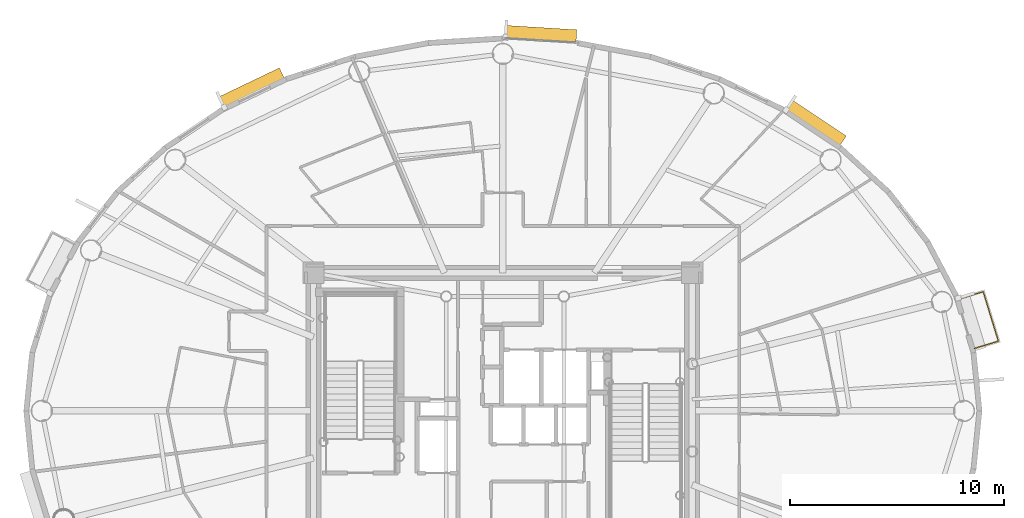
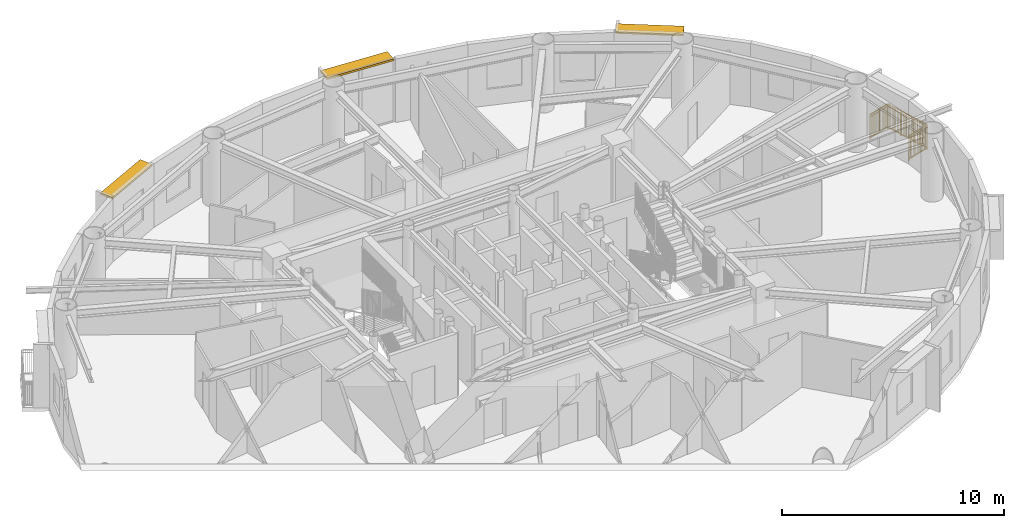
# One storey, part 18 of 18: 3 shading devices, 1 railing.
"""IFC4 building model written with IfcOpenShell, lengths in metres."""

import ifcopenshell
import ifcopenshell.guid

model = None  # the IFC model being written
_history = None  # IfcOwnerHistory: only IFC2X3 demands one
_inside = {}  # id of a spatial element -> (the spatial element, [elements in it])
_under = {}  # id of a project, library or spatial element -> (it, [spatial elements below it])
_declared = {}  # id of a project -> (the project, [libraries it declares])
_typed = {}  # id of a type object -> (the type object, [elements of that type])
_made_of = {}  # id of a material, layer set ... -> (it, [elements and type objects made of it])


def new_model(schema):
    """Start an empty IFC model of exactly this schema.

    Asked for "IFC4X3", IfcOpenShell would pick the latest addendum, in which some entities
    have other attributes; the version numbers below select the first issue.
    IFC2X3 requires an IfcOwnerHistory on every rooted entity: one is made here for all.
    """
    global model, _history
    if schema == "IFC4X3":
        model = ifcopenshell.file(schema_version=(4, 3, 0, 0))
    else:
        model = ifcopenshell.file(schema=schema)
    _inside.clear()
    _under.clear()
    _declared.clear()
    _typed.clear()
    _made_of.clear()
    _history = None
    if model.schema == "IFC2X3":
        org = make("IfcOrganization", Name="unknown")
        user = make(
            "IfcPersonAndOrganization",
            ThePerson=make("IfcPerson", FamilyName="unknown"),
            TheOrganization=org,
        )
        app = make(
            "IfcApplication",
            ApplicationDeveloper=org,
            Version="unknown",
            ApplicationFullName="unknown",
            ApplicationIdentifier="unknown",
        )
        _history = make(
            "IfcOwnerHistory",
            OwningUser=user,
            OwningApplication=app,
            ChangeAction="ADDED",
            CreationDate=0,
        )
    return model


def make(cls, **values):
    """One entity of the class cls with the attributes given. An attribute that is None is left unset."""
    return model.create_entity(
        cls, **{name: value for name, value in values.items() if value is not None}
    )


def rooted(cls, **values):
    """An entity with a GlobalId (a new one), such as an element, a storey or a relation."""
    return make(cls, GlobalId=ifcopenshell.guid.new(), OwnerHistory=_history, **values)


def si_unit(unit_type, name, prefix=None):
    """IfcSIUnit, for example si_unit("LENGTHUNIT", "METRE", prefix="MILLI")."""
    return make("IfcSIUnit", UnitType=unit_type, Prefix=prefix, Name=name)


def assignment(units):
    """IfcUnitAssignment: the units of a project."""
    return None if units is None else make("IfcUnitAssignment", Units=units)


def point(xyz):
    """IfcCartesianPoint."""
    return None if xyz is None else make("IfcCartesianPoint", Coordinates=xyz)


def direction(xyz):
    """IfcDirection."""
    return None if xyz is None else make("IfcDirection", DirectionRatios=xyz)


def frame(location, z_axis=None, x_axis=None):
    """IfcAxis2Placement3D, a coordinate frame: its origin and axes. An axis left out is left unset."""
    return make(
        "IfcAxis2Placement3D",
        Location=point(location),
        Axis=direction(z_axis),
        RefDirection=direction(x_axis),
    )


def frame_2d(location, x_axis=None):
    """IfcAxis2Placement2D, a coordinate frame in the plane: its origin and x axis."""
    return make(
        "IfcAxis2Placement2D", Location=point(location), RefDirection=direction(x_axis)
    )


def origin():
    """The frame at (0, 0, 0) with its axes left unset."""
    return frame((0.0, 0.0, 0.0))


def origin_2d():
    """The frame at (0, 0) in the plane with its x axis left unset."""
    return frame_2d((0.0, 0.0))


def place(relative_to, where):
    """IfcLocalPlacement: puts the frame where relative to a parent placement (None: the world)."""
    return make(
        "IfcLocalPlacement", PlacementRelTo=relative_to, RelativePlacement=where
    )


def context(
    kind, dimensions, precision=None, world=None, true_north=None, identifier=None
):
    """IfcGeometricRepresentationContext, for example the 3D "Model" context."""
    return make(
        "IfcGeometricRepresentationContext",
        ContextIdentifier=identifier,
        ContextType=kind,
        CoordinateSpaceDimension=dimensions,
        Precision=precision,
        WorldCoordinateSystem=world,
        TrueNorth=true_north,
    )


def subcontext(parent, identifier, kind, view, scale=None):
    """IfcGeometricRepresentationSubContext, for example "Body" below "Model"."""
    return make(
        "IfcGeometricRepresentationSubContext",
        ContextIdentifier=identifier,
        ContextType=kind,
        ParentContext=parent,
        TargetScale=scale,
        TargetView=view,
    )


def project(units=None, contexts=None):
    """IfcProject with its units and contexts."""
    return rooted(
        "IfcProject",
        Name="project",
        RepresentationContexts=contexts,
        UnitsInContext=assignment(units),
    )


def spatial(cls, under=None, at=None, **own):
    """A site, building, storey or space (cls), placed at a placement, below another one or the project."""
    s = rooted(cls, ObjectPlacement=at, **own)
    if under is not None:
        _under.setdefault(under.id(), (under, []))[1].append(s)
    return s


def profile(cls, at=None, kind="AREA", **sizes):
    """A parametric profile (cls). Its sizes go by their IFC names, for example OverallWidth=200.0."""
    return make(cls, ProfileType=kind, Position=at, **sizes)


def rectangle(**sizes):
    """IfcRectangleProfileDef."""
    return profile("IfcRectangleProfileDef", **sizes)


def extrude(swept, where, along, depth):
    """IfcExtrudedAreaSolid: the profile swept, set in the frame where, extruded along a direction by depth."""
    return make(
        "IfcExtrudedAreaSolid",
        SweptArea=swept,
        Position=where,
        ExtrudedDirection=direction(along),
        Depth=depth,
    )


def shape(context_of_items, identifier, shape_type, items):
    """IfcShapeRepresentation: the items that make up one representation, for example the "Body"."""
    return make(
        "IfcShapeRepresentation",
        ContextOfItems=context_of_items,
        RepresentationIdentifier=identifier,
        RepresentationType=shape_type,
        Items=items,
    )


def source(mapping_origin, context_of_items, identifier, shape_type, items):
    """IfcRepresentationMap: a shape defined once, which mapped items show again and again."""
    return make(
        "IfcRepresentationMap",
        MappingOrigin=mapping_origin,
        MappedRepresentation=shape(context_of_items, identifier, shape_type, items),
    )


def transform(
    local_origin,
    x_axis=None,
    y_axis=None,
    z_axis=None,
    scale=None,
    scale2=None,
    scale3=None,
    uniform=True,
):
    """IfcCartesianTransformationOperator3D, or its non-uniform kind. x_axis, y_axis, z_axis: its Axis1, 2, 3."""
    if uniform:
        return make(
            "IfcCartesianTransformationOperator3D",
            Axis1=direction(x_axis),
            Axis2=direction(y_axis),
            LocalOrigin=point(local_origin),
            Scale=scale,
            Axis3=direction(z_axis),
        )
    return make(
        "IfcCartesianTransformationOperator3DnonUniform",
        Axis1=direction(x_axis),
        Axis2=direction(y_axis),
        LocalOrigin=point(local_origin),
        Scale=scale,
        Axis3=direction(z_axis),
        Scale2=scale2,
        Scale3=scale3,
    )


def mapped(mapping_source, mapping_target):
    """IfcMappedItem: shows the shape of a source again, moved by a transform."""
    return make(
        "IfcMappedItem", MappingSource=mapping_source, MappingTarget=mapping_target
    )


def material(Name=None, Category=None):
    """IfcMaterial."""
    return make("IfcMaterial", Name=Name, Category=Category)


def layer(
    of_material, thickness, ventilated=None, Name=None, Category=None, Priority=None
):
    """IfcMaterialLayer: one layer of a wall or slab, of a material (None: an air gap)."""
    return make(
        "IfcMaterialLayer",
        Material=of_material,
        LayerThickness=thickness,
        IsVentilated=ventilated,
        Name=Name,
        Category=Category,
        Priority=Priority,
    )


def layer_set(layers, Name=None):
    """IfcMaterialLayerSet."""
    return make("IfcMaterialLayerSet", MaterialLayers=layers, LayerSetName=Name)


def made_of(thing, what):
    """Note that an element or type object is made of a material, layer set ...; save() writes the relation."""
    if what is not None:
        _made_of.setdefault(what.id(), (what, []))[1].append(thing)
    return thing


def type_object(cls, material=None, **own):
    """A type object (cls), such as IfcWallType, which elements share."""
    return made_of(rooted(cls, **own), material)


def element(
    cls,
    number,
    at=None,
    inside=None,
    cuts=None,
    type_object=None,
    material=None,
    context=None,
    identifier="Body",
    shape_type=None,
    held_by="IfcProductDefinitionShape",
    body=None,
    shapes=None,
    **own,
):
    """One element of the class cls, such as IfcWall. Its Tag is "e" and its number.

    at: its placement. inside: the storey or other place that contains it. cuts: it is an
    opening in that element (IfcRelVoidsElement). A single representation is given by context,
    identifier, shape_type and body (its items); several are given by shapes. held_by: the class
    of the entity that holds the representations. save() writes the other relations.
    """
    e = rooted(cls, Tag="e%d" % number, ObjectPlacement=at, **own)
    if body is not None:
        shapes = [shape(context, identifier, shape_type, body)]
    if shapes is not None:
        e.Representation = make(held_by, Representations=shapes)
    if inside is not None:
        _inside.setdefault(inside.id(), (inside, []))[1].append(e)
    if cuts is not None:
        rooted(
            "IfcRelVoidsElement", RelatingBuildingElement=cuts, RelatedOpeningElement=e
        )
    if type_object is not None:
        _typed.setdefault(type_object.id(), (type_object, []))[1].append(e)
    return made_of(e, material)


def aggregate(whole, parts):
    """IfcRelAggregates: a whole, such as a stair, and the parts it consists of."""
    return rooted("IfcRelAggregates", RelatingObject=whole, RelatedObjects=parts)


def save(model, path):
    """Write the relations noted so far, then the file.

    IfcRelAggregates (storeys below a building ...), IfcRelContainedInSpatialStructure (elements
    in a storey), IfcRelDefinesByType, IfcRelAssociatesMaterial and IfcRelDeclares: one each for
    every whole, place, type object, material and project.
    """
    for whole, parts in _under.values():
        aggregate(whole, parts)
    for where, things in _inside.values():
        rooted(
            "IfcRelContainedInSpatialStructure",
            RelatedElements=things,
            RelatingStructure=where,
        )
    for kind, things in _typed.values():
        rooted("IfcRelDefinesByType", RelatedObjects=things, RelatingType=kind)
    for what, things in _made_of.values():
        rooted("IfcRelAssociatesMaterial", RelatedObjects=things, RelatingMaterial=what)
    for by, libraries in _declared.values():
        rooted("IfcRelDeclares", RelatingContext=by, RelatedDefinitions=libraries)
    model.write(path)


model = new_model("IFC4")

# Units and contexts
model_context = context("Model", 3, precision=1e-05, world=origin(), true_north=direction((0.0, 1.0)))
body_context = subcontext(model_context, "Body", "Model", "MODEL_VIEW")
ifc_project = project(units=[si_unit("LENGTHUNIT", "METRE"), si_unit("AREAUNIT", "SQUARE_METRE"), si_unit("VOLUMEUNIT", "CUBIC_METRE"), si_unit("PLANEANGLEUNIT", "RADIAN"), si_unit("MASSUNIT", "GRAM", prefix="KILO")], contexts=[model_context])

# Site, building, storey
site_placement = place(None, origin())
site = spatial("IfcSite", under=ifc_project, at=site_placement, CompositionType="ELEMENT")
building_placement = place(site_placement, origin())
building = spatial("IfcBuilding", under=site, at=building_placement, Name="Linh Dai School and Residence Tower", CompositionType="ELEMENT")
storey_placement = place(building_placement, frame((0.0, 0.0, 295.5)))
storey = spatial("IfcBuildingStorey", under=building, at=storey_placement, Name="L73", CompositionType="ELEMENT", Elevation=295.5)

# Railing
ifc_material_1 = material(Name="Structural Steel S355JR", Category="steel")
railing_type = type_object("IfcRailingType", Name="RL-BAL-1400", PredefinedType="BALUSTRADE", material=ifc_material_1)
shared_shape_1 = source(origin(), body_context, "Body", "SweptSolid", [
    extrude(rectangle(XDim=0.048095703125, YDim=0.048095703125, at=origin_2d()), frame((0.0, 0.0, 1.3759765625), z_axis=(0.95606039398, 0.293169785386, 0.0), x_axis=(-0.293169785386, 0.95606039398, 0.0)), (0.0, 0.0, 1.0), 1.179931640625),
    extrude(rectangle(XDim=0.048095703125, YDim=0.048095703125, at=origin_2d()), frame((0.0, 0.0, 0.10009765625), z_axis=(0.95606039398, 0.293169785386, 0.0), x_axis=(-0.293169785386, 0.95606039398, 0.0)), (0.0, 0.0, 1.0), 1.179931640625),
    extrude(rectangle(XDim=0.030029296875, YDim=0.030029296875, at=origin_2d()), frame((0.0, 0.0, 1.239990234375), z_axis=(0.95606039398, 0.293169785386, 0.0), x_axis=(-0.293169785386, 0.95606039398, 0.0)), (0.0, 0.0, 1.0), 1.179931640625),
    extrude(rectangle(XDim=0.02001953125, YDim=0.02001953125, at=origin_2d()), frame((0.086669921875, 0.026611328125, 0.10009765625)), (0.0, 0.0, 1.0), 1.251708984375),
    extrude(rectangle(XDim=0.02001953125, YDim=0.02001953125, at=origin_2d()), frame((0.173583984375, 0.05322265625, 0.10009765625)), (0.0, 0.0, 1.0), 1.251708984375),
    extrude(rectangle(XDim=0.02001953125, YDim=0.02001953125, at=origin_2d()), frame((0.26025390625, 0.079833984375, 0.10009765625)), (0.0, 0.0, 1.0), 1.251708984375),
    extrude(rectangle(XDim=0.02001953125, YDim=0.02001953125, at=origin_2d()), frame((0.34716796875, 0.1064453125, 0.10009765625)), (0.0, 0.0, 1.0), 1.251708984375),
    extrude(rectangle(XDim=0.02001953125, YDim=0.02001953125, at=origin_2d()), frame((0.433837890625, 0.133056640625, 0.10009765625)), (0.0, 0.0, 1.0), 1.251708984375),
    extrude(rectangle(XDim=0.02001953125, YDim=0.02001953125, at=origin_2d()), frame((0.520751953125, 0.15966796875, 0.10009765625)), (0.0, 0.0, 1.0), 1.251708984375),
    extrude(rectangle(XDim=0.02001953125, YDim=0.02001953125, at=origin_2d()), frame((0.607421875, 0.186279296875, 0.10009765625)), (0.0, 0.0, 1.0), 1.251708984375),
    extrude(rectangle(XDim=0.02001953125, YDim=0.02001953125, at=origin_2d()), frame((0.6943359375, 0.212890625, 0.10009765625)), (0.0, 0.0, 1.0), 1.251708984375),
    extrude(rectangle(XDim=0.02001953125, YDim=0.02001953125, at=origin_2d()), frame((0.781005859375, 0.239501953125, 0.10009765625)), (0.0, 0.0, 1.0), 1.251708984375),
    extrude(rectangle(XDim=0.02001953125, YDim=0.02001953125, at=origin_2d()), frame((0.867919921875, 0.26611328125, 0.10009765625)), (0.0, 0.0, 1.0), 1.251708984375),
    extrude(rectangle(XDim=0.02001953125, YDim=0.02001953125, at=origin_2d()), frame((0.95458984375, 0.292724609375, 0.10009765625)), (0.0, 0.0, 1.0), 1.251708984375),
    extrude(rectangle(XDim=0.02001953125, YDim=0.02001953125, at=origin_2d()), frame((1.04150390625, 0.3193359375, 0.10009765625)), (0.0, 0.0, 1.0), 1.251708984375),
    extrude(rectangle(XDim=0.048095703125, YDim=0.048095703125, at=origin_2d()), frame((1.128173828125, 0.345947265625, 1.3759765625), z_axis=(0.293148070625, -0.956067052402, 0.0), x_axis=(0.956067052402, 0.293148070625, 0.0)), (0.0, 0.0, 1.0), 2.415283203125),
    extrude(rectangle(XDim=0.048095703125, YDim=0.048095703125, at=origin_2d()), frame((1.128173828125, 0.345947265625, 0.10009765625), z_axis=(0.293148070625, -0.956067052402, 0.0), x_axis=(0.956067052402, 0.293148070625, 0.0)), (0.0, 0.0, 1.0), 2.415283203125),
    extrude(rectangle(XDim=0.030029296875, YDim=0.030029296875, at=origin_2d()), frame((1.128173828125, 0.345947265625, 1.239990234375), z_axis=(0.293148070625, -0.956067052402, 0.0), x_axis=(0.956067052402, 0.293148070625, 0.0)), (0.0, 0.0, 1.0), 2.415283203125),
    extrude(rectangle(XDim=0.02001953125, YDim=0.02001953125, at=origin_2d()), frame((1.156494140625, 0.253662109375, 0.10009765625)), (0.0, 0.0, 1.0), 1.251708984375),
    extrude(rectangle(XDim=0.02001953125, YDim=0.02001953125, at=origin_2d()), frame((1.184814453125, 0.1611328125, 0.10009765625)), (0.0, 0.0, 1.0), 1.251708984375),
    extrude(rectangle(XDim=0.02001953125, YDim=0.02001953125, at=origin_2d()), frame((1.213134765625, 0.06884765625, 0.10009765625)), (0.0, 0.0, 1.0), 1.251708984375),
    extrude(rectangle(XDim=0.02001953125, YDim=0.02001953125, at=origin_2d()), frame((1.241455078125, -0.0234375, 0.10009765625)), (0.0, 0.0, 1.0), 1.251708984375),
    extrude(rectangle(XDim=0.02001953125, YDim=0.02001953125, at=origin_2d()), frame((1.269775390625, -0.115966796875, 0.10009765625)), (0.0, 0.0, 1.0), 1.251708984375),
    extrude(rectangle(XDim=0.02001953125, YDim=0.02001953125, at=origin_2d()), frame((1.298095703125, -0.208251953125, 0.10009765625)), (0.0, 0.0, 1.0), 1.251708984375),
    extrude(rectangle(XDim=0.02001953125, YDim=0.02001953125, at=origin_2d()), frame((1.326416015625, -0.300537109375, 0.10009765625)), (0.0, 0.0, 1.0), 1.251708984375),
    extrude(rectangle(XDim=0.02001953125, YDim=0.02001953125, at=origin_2d()), frame((1.383056640625, -0.4853515625, 0.10009765625)), (0.0, 0.0, 1.0), 1.251708984375),
    extrude(rectangle(XDim=0.02001953125, YDim=0.02001953125, at=origin_2d()), frame((1.411376953125, -0.57763671875, 0.10009765625)), (0.0, 0.0, 1.0), 1.251708984375),
    extrude(rectangle(XDim=0.02001953125, YDim=0.02001953125, at=origin_2d()), frame((1.439697265625, -0.670166015625, 0.10009765625)), (0.0, 0.0, 1.0), 1.251708984375),
    extrude(rectangle(XDim=0.02001953125, YDim=0.02001953125, at=origin_2d()), frame((1.468017578125, -0.762451171875, 0.10009765625)), (0.0, 0.0, 1.0), 1.251708984375),
    extrude(rectangle(XDim=0.02001953125, YDim=0.02001953125, at=origin_2d()), frame((1.496337890625, -0.854736328125, 0.10009765625)), (0.0, 0.0, 1.0), 1.251708984375),
    extrude(rectangle(XDim=0.02001953125, YDim=0.02001953125, at=origin_2d()), frame((1.524658203125, -0.947021484375, 0.10009765625)), (0.0, 0.0, 1.0), 1.251708984375),
    extrude(rectangle(XDim=0.02001953125, YDim=0.02001953125, at=origin_2d()), frame((1.552978515625, -1.03955078125, 0.10009765625)), (0.0, 0.0, 1.0), 1.251708984375),
    extrude(rectangle(XDim=0.02001953125, YDim=0.02001953125, at=origin_2d()), frame((1.581298828125, -1.1318359375, 0.10009765625)), (0.0, 0.0, 1.0), 1.251708984375),
    extrude(rectangle(XDim=0.02001953125, YDim=0.02001953125, at=origin_2d()), frame((1.637939453125, -1.316650390625, 0.10009765625)), (0.0, 0.0, 1.0), 1.251708984375),
    extrude(rectangle(XDim=0.02001953125, YDim=0.02001953125, at=origin_2d()), frame((1.666259765625, -1.408935546875, 0.10009765625)), (0.0, 0.0, 1.0), 1.251708984375),
    extrude(rectangle(XDim=0.02001953125, YDim=0.02001953125, at=origin_2d()), frame((1.694580078125, -1.501220703125, 0.10009765625)), (0.0, 0.0, 1.0), 1.251708984375),
    extrude(rectangle(XDim=0.02001953125, YDim=0.02001953125, at=origin_2d()), frame((1.722900390625, -1.59375, 0.10009765625)), (0.0, 0.0, 1.0), 1.251708984375),
    extrude(rectangle(XDim=0.02001953125, YDim=0.02001953125, at=origin_2d()), frame((1.751220703125, -1.68603515625, 0.10009765625)), (0.0, 0.0, 1.0), 1.251708984375),
    extrude(rectangle(XDim=0.02001953125, YDim=0.02001953125, at=origin_2d()), frame((1.779541015625, -1.7783203125, 0.10009765625)), (0.0, 0.0, 1.0), 1.251708984375),
    extrude(rectangle(XDim=0.02001953125, YDim=0.02001953125, at=origin_2d()), frame((1.807861328125, -1.870849609375, 0.10009765625)), (0.0, 0.0, 1.0), 1.251708984375),
    extrude(rectangle(XDim=0.048095703125, YDim=0.048095703125, at=origin_2d()), frame((1.836181640625, -1.963134765625, 1.3759765625), z_axis=(-0.95606039398, -0.293169785386, 0.0), x_axis=(0.293169785386, -0.95606039398, 0.0)), (0.0, 0.0, 1.0), 1.179931640625),
    extrude(rectangle(XDim=0.048095703125, YDim=0.048095703125, at=origin_2d()), frame((1.836181640625, -1.963134765625, 0.10009765625), z_axis=(-0.95606039398, -0.293169785386, 0.0), x_axis=(0.293169785386, -0.95606039398, 0.0)), (0.0, 0.0, 1.0), 1.179931640625),
    extrude(rectangle(XDim=0.030029296875, YDim=0.030029296875, at=origin_2d()), frame((1.836181640625, -1.963134765625, 1.239990234375), z_axis=(-0.95606039398, -0.293169785386, 0.0), x_axis=(0.293169785386, -0.95606039398, 0.0)), (0.0, 0.0, 1.0), 1.179931640625),
    extrude(rectangle(XDim=0.02001953125, YDim=0.02001953125, at=origin_2d()), frame((1.74951171875, -1.98974609375, 0.10009765625)), (0.0, 0.0, 1.0), 1.251708984375),
    extrude(rectangle(XDim=0.02001953125, YDim=0.02001953125, at=origin_2d()), frame((1.66259765625, -2.016357421875, 0.10009765625)), (0.0, 0.0, 1.0), 1.251708984375),
    extrude(rectangle(XDim=0.02001953125, YDim=0.02001953125, at=origin_2d()), frame((1.575927734375, -2.04296875, 0.10009765625)), (0.0, 0.0, 1.0), 1.251708984375),
    extrude(rectangle(XDim=0.02001953125, YDim=0.02001953125, at=origin_2d()), frame((1.489013671875, -2.069580078125, 0.10009765625)), (0.0, 0.0, 1.0), 1.251708984375),
    extrude(rectangle(XDim=0.02001953125, YDim=0.02001953125, at=origin_2d()), frame((1.40234375, -2.09619140625, 0.10009765625)), (0.0, 0.0, 1.0), 1.251708984375),
    extrude(rectangle(XDim=0.02001953125, YDim=0.02001953125, at=origin_2d()), frame((1.3154296875, -2.122802734375, 0.10009765625)), (0.0, 0.0, 1.0), 1.251708984375),
    extrude(rectangle(XDim=0.02001953125, YDim=0.02001953125, at=origin_2d()), frame((1.228759765625, -2.1494140625, 0.10009765625)), (0.0, 0.0, 1.0), 1.251708984375),
    extrude(rectangle(XDim=0.02001953125, YDim=0.02001953125, at=origin_2d()), frame((1.141845703125, -2.176025390625, 0.10009765625)), (0.0, 0.0, 1.0), 1.251708984375),
    extrude(rectangle(XDim=0.02001953125, YDim=0.02001953125, at=origin_2d()), frame((1.05517578125, -2.20263671875, 0.10009765625)), (0.0, 0.0, 1.0), 1.251708984375),
    extrude(rectangle(XDim=0.02001953125, YDim=0.02001953125, at=origin_2d()), frame((0.96826171875, -2.229248046875, 0.10009765625)), (0.0, 0.0, 1.0), 1.251708984375),
    extrude(rectangle(XDim=0.02001953125, YDim=0.02001953125, at=origin_2d()), frame((0.881591796875, -2.255859375, 0.10009765625)), (0.0, 0.0, 1.0), 1.251708984375),
    extrude(rectangle(XDim=0.02001953125, YDim=0.02001953125, at=origin_2d()), frame((0.794677734375, -2.282470703125, 0.10009765625)), (0.0, 0.0, 1.0), 1.251708984375),
    extrude(rectangle(XDim=0.0419921875, YDim=0.0419921875, at=origin_2d()), origin(), (0.0, 0.0, 1.0), 1.3759765625),
    extrude(rectangle(XDim=0.0419921875, YDim=0.0419921875, at=origin_2d()), frame((1.128173828125, 0.345947265625, 0.0)), (0.0, 0.0, 1.0), 1.3759765625),
    extrude(rectangle(XDim=0.0419921875, YDim=0.0419921875, at=origin_2d()), frame((1.3642578125, -0.423828125, 0.0)), (0.0, 0.0, 1.0), 1.3759765625),
    extrude(rectangle(XDim=0.0419921875, YDim=0.0419921875, at=origin_2d()), frame((1.60009765625, -1.193359375, 0.0)), (0.0, 0.0, 1.0), 1.3759765625),
    extrude(rectangle(XDim=0.0419921875, YDim=0.0419921875, at=origin_2d()), frame((1.836181640625, -1.963134765625, 0.0)), (0.0, 0.0, 1.0), 1.3759765625),
    extrude(rectangle(XDim=0.0419921875, YDim=0.0419921875, at=origin_2d()), frame((0.7080078125, -2.30908203125, 0.0)), (0.0, 0.0, 1.0), 1.3759765625),
])
railing_placement = place(storey_placement, frame((57.322265625, 32.22509765625, 0.0)))
element("IfcRailing", 1, at=railing_placement, inside=storey, type_object=railing_type, Name="L73 Balcony Safety Balustrade 02", PredefinedType="BALUSTRADE", context=body_context, shape_type="MappedRepresentation", body=[
    mapped(shared_shape_1, transform((0.0, 0.0, 0.0), x_axis=(1.0, 0.0, 0.0), y_axis=(0.0, 1.0, 0.0), z_axis=(0.0, 0.0, 1.0), scale=1.0)),
])

# Shading devices
ifc_material_2 = material(Name="Terracotta Ceramic Sunshade", Category="masonry")
ifc_layer = layer(ifc_material_2, 0.10009765625)
ifc_layer_set = layer_set([ifc_layer], Name="Terracotta Ceramic Sunshade")
shading_device_type = type_object("IfcShadingDeviceType", Name="SHD-TC-650", PredefinedType="USERDEFINED", material=ifc_layer_set)
shared_shape_2 = source(origin(), body_context, "Body", "SweptSolid", [
    extrude(rectangle(XDim=3.069091796875, YDim=0.64990234375, at=origin_2d()), origin(), (0.0, 0.0, 1.0), 0.10009765625),
])
shading_device_1_placement = place(storey_placement, frame((50.591796875, 40.4296875, 3.3798828125), z_axis=(0.0, 0.0, 1.0), x_axis=(0.831243873264, -0.555907926874, 0.0)))
element("IfcShadingDevice", 2, at=shading_device_1_placement, inside=storey, type_object=shading_device_type, Name="L73 Terracotta Horizontal Sunshade Band 06", ObjectType="SUNSHADE", PredefinedType="USERDEFINED", context=body_context, shape_type="MappedRepresentation", body=[
    mapped(shared_shape_2, transform((0.0, 0.0, 0.0), x_axis=(1.0, 0.0, 0.0), y_axis=(0.0, 1.0, 0.0), z_axis=(0.0, 0.0, 1.0), scale=1.0)),
])
shared_shape_3 = source(origin(), body_context, "Body", "SweptSolid", [
    extrude(rectangle(XDim=3.355712890625, YDim=0.64990234375, at=origin_2d()), origin(), (0.0, 0.0, 1.0), 0.10009765625),
])
shading_device_2_placement = place(storey_placement, frame((37.761962890625, 44.592041015625, 3.3798828125), z_axis=(0.0, 0.0, 1.0), x_axis=(0.998106469364, -0.061509965157, 0.0)))
element("IfcShadingDevice", 3, at=shading_device_2_placement, inside=storey, type_object=shading_device_type, Name="L73 Terracotta Horizontal Sunshade Band 10", ObjectType="SUNSHADE", PredefinedType="USERDEFINED", context=body_context, shape_type="MappedRepresentation", body=[
    mapped(shared_shape_3, transform((0.0, 0.0, 0.0), x_axis=(1.0, 0.0, 0.0), y_axis=(0.0, 1.0, 0.0), z_axis=(0.0, 0.0, 1.0), scale=1.0)),
])
shared_shape_4 = source(origin(), body_context, "Body", "SweptSolid", [
    extrude(rectangle(XDim=3.1748046875, YDim=0.64990234375, at=origin_2d()), origin(), (0.0, 0.0, 1.0), 0.10009765625),
])
shading_device_3_placement = place(storey_placement, frame((24.262939453125, 42.0537109375, 3.3798828125), z_axis=(0.0, 0.0, 1.0), x_axis=(0.901580240323, 0.432611916456, 0.0)))
element("IfcShadingDevice", 4, at=shading_device_3_placement, inside=storey, type_object=shading_device_type, Name="L73 Terracotta Horizontal Sunshade Band 14", ObjectType="SUNSHADE", PredefinedType="USERDEFINED", context=body_context, shape_type="MappedRepresentation", body=[
    mapped(shared_shape_4, transform((0.0, 0.0, 0.0), x_axis=(1.0, 0.0, 0.0), y_axis=(0.0, 1.0, 0.0), z_axis=(0.0, 0.0, 1.0), scale=1.0)),
])

save(model, "model.ifc")
